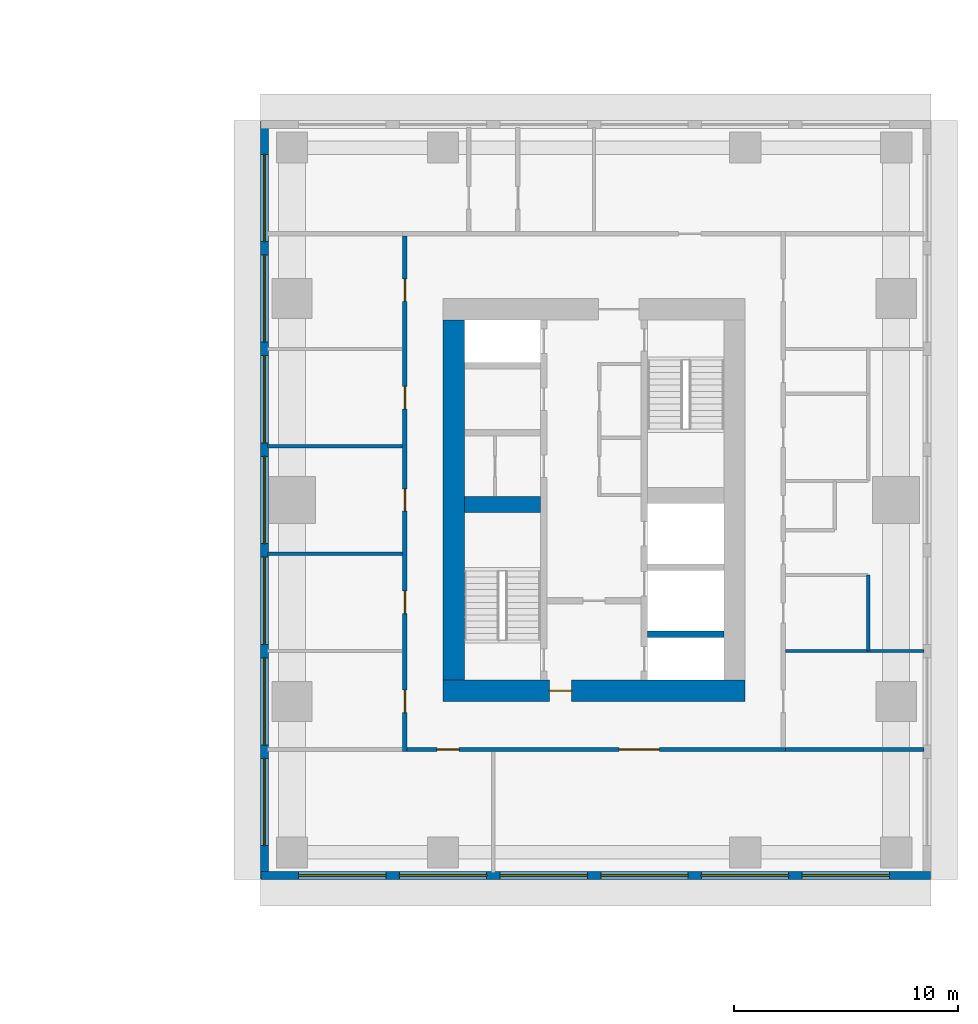
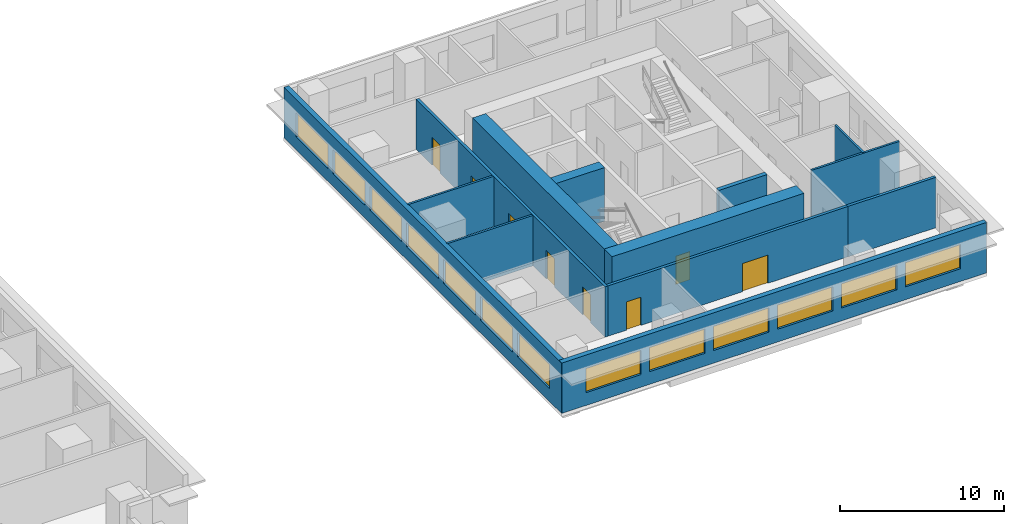
# One storey, part 6 of 11: 13 walls, 13 windows, 8 doors, 21 openings.
"""IFC4 building model written with IfcOpenShell, lengths in metres."""

from ifc_helpers import new_model, si_unit, direction, frame, frame_2d, origin, place, context, subcontext, project, spatial, rectangle, extrude, material, layer, layer_set, type_object, element, fill, save


model = new_model("IFC4")

# Units and contexts
model_context = context("Model", 3, precision=1e-05, world=origin(), true_north=direction((0.0, 1.0)))
body_context = subcontext(model_context, "Body", "Model", "MODEL_VIEW")
ifc_project = project(units=[si_unit("LENGTHUNIT", "METRE"), si_unit("AREAUNIT", "SQUARE_METRE"), si_unit("VOLUMEUNIT", "CUBIC_METRE"), si_unit("PLANEANGLEUNIT", "RADIAN"), si_unit("MASSUNIT", "GRAM", prefix="KILO")], contexts=[model_context])

# Site, building, storey
site_placement = place(None, origin())
site = spatial("IfcSite", under=ifc_project, at=site_placement, CompositionType="ELEMENT")
building_placement = place(site_placement, origin())
building = spatial("IfcBuilding", under=site, at=building_placement, Name="Namib Vertical Campus", CompositionType="ELEMENT")
storey_placement = place(building_placement, frame((0.0, 0.0, 177.0)))
storey = spatial("IfcBuildingStorey", under=building, at=storey_placement, Name="L41", CompositionType="ELEMENT", Elevation=177.0)

# Walls
ifc_material_1 = material(Name="Concrete C60/75", Category="concrete")
ifc_layer_1 = layer(ifc_material_1, 0.300048828125)
ifc_layer_set_1 = layer_set([ifc_layer_1], Name="Concrete C60/75")
wall_type_1 = type_object("IfcWallType", Name="Core inner wall 300", PredefinedType="SHEAR", material=ifc_layer_set_1)
wall_1_placement = place(storey_placement, frame((83.39990234375, 14.25, 0.0), z_axis=(0.0, 0.0, 1.0), x_axis=(1.0, 0.0, 0.0)))
element("IfcWall", 1, at=wall_1_placement, inside=storey, type_object=wall_type_1, Name="Core inner wall B L41 W5", PredefinedType="SHEAR", context=body_context, shape_type="SweptSolid", body=[
    extrude(rectangle(XDim=3.400146484375, YDim=0.300048828125, at=frame_2d((1.7001953125, 0.0))), origin(), (0.0, 0.0, 1.0), 4.0),
])
ifc_material_2 = material(Name="Concrete C60/75", Category="concrete")
ifc_layer_2 = layer(ifc_material_2, 0.699951171875)
ifc_layer_set_2 = layer_set([ifc_layer_2], Name="Concrete C60/75")
wall_type_2 = type_object("IfcWallType", Name="Core shear wall 700", PredefinedType="SHEAR", material=ifc_layer_set_2)
wall_2_placement = place(storey_placement, frame((75.199951171875, 20.050048828125, 0.0), z_axis=(0.0, 0.0, 1.0), x_axis=(1.0, 0.0, 0.0)))
element("IfcWall", 2, at=wall_2_placement, inside=storey, type_object=wall_type_2, Name="Core shear wall B L41 W3", PredefinedType="SHEAR", context=body_context, shape_type="SweptSolid", body=[
    extrude(rectangle(XDim=3.400146484375, YDim=0.699951171875, at=frame_2d((1.7001953125, 0.0))), origin(), (0.0, 0.0, 1.0), 4.0),
])

# Wall, opening, door
ifc_material_3 = material(Name="Concrete C60/75", Category="concrete")
ifc_layer_3 = layer(ifc_material_3, 0.949951171875)
ifc_layer_set_3 = layer_set([ifc_layer_3], Name="Concrete C60/75")
wall_type_3 = type_object("IfcWallType", Name="Core wall 950", PredefinedType="SHEAR", material=ifc_layer_set_3)
wall_3_placement = place(storey_placement, frame((74.25, 11.72509765625, 0.0), z_axis=(0.0, 0.0, 1.0), x_axis=(1.0, 0.0, 0.0)))
wall_3 = element("IfcWall", 3, at=wall_3_placement, inside=storey, type_object=wall_type_3, Name="Core wall B L41 1", PredefinedType="SHEAR", context=body_context, shape_type="SweptSolid", body=[
    extrude(rectangle(XDim=13.5, YDim=0.949951171875, at=frame_2d((6.75, 0.0))), origin(), (0.0, 0.0, 1.0), 4.0),
])
opening_1_placement = place(wall_3_placement, frame((4.75, 0.0, 0.0)))
opening_1 = element("IfcOpeningElement", 4, at=opening_1_placement, cuts=wall_3, Name="Opening FD5", PredefinedType="OPENING", context=body_context, shape_type="SweptSolid", body=[
    extrude(rectangle(XDim=1.0, YDim=2.10009765625, at=frame_2d((0.5, 1.050048828125))), frame((0.0, 0.48486328125, 0.0), z_axis=(0.0, -1.0, 0.0), x_axis=(1.0, 0.0, 0.0)), (0.0, 0.0, 1.0), 0.969970703125),
])
ifc_material_4 = material(Name="Steel fire door", Category="steel")
door_type_1 = type_object("IfcDoorType", Name="Fire door 1000x2100 120 min", OperationType="SINGLE_SWING_RIGHT", PredefinedType="DOOR", material=ifc_material_4)
door_1_placement = place(opening_1_placement, origin())
door_1 = element("IfcDoor", 5, at=door_1_placement, inside=storey, type_object=door_type_1, Name="Firefighting lobby door FD5 B L41", OperationType="SINGLE_SWING_LEFT", OverallHeight=2.10009765625, OverallWidth=1.0, PredefinedType="DOOR", context=body_context, shape_type="SweptSolid", body=[
    extrude(rectangle(XDim=1.0, YDim=2.10009765625, at=frame_2d((0.5, 1.050048828125))), frame((0.0, 0.02490234375, 0.0), z_axis=(0.0, -1.0, 0.0), x_axis=(1.0, 0.0, 0.0)), (0.0, 0.0, 1.0), 0.050048828125),
])
fill(opening_1, door_1)

# Wall
wall_4_placement = place(storey_placement, frame((74.72509765625, 28.300048828125, 0.0), z_axis=(0.0, 0.0, 1.0), x_axis=(0.0, -1.0, 0.0)))
element("IfcWall", 6, at=wall_4_placement, inside=storey, type_object=wall_type_3, Name="Core wall B L41 4", PredefinedType="SHEAR", context=body_context, shape_type="SweptSolid", body=[
    extrude(rectangle(XDim=16.10009765625, YDim=0.949951171875, at=frame_2d((8.050048828125, 0.0))), origin(), (0.0, 0.0, 1.0), 4.0),
])

# Wall, openings, doors
ifc_material_5 = material(Name="Concrete masonry", Category="masonry")
ifc_layer_4 = layer(ifc_material_5, 0.199951171875)
ifc_layer_set_4 = layer_set([ifc_layer_4], Name="Corridor wall 200")
wall_type_4 = type_object("IfcWallType", Name="Corridor wall 200", PredefinedType="SOLIDWALL", material=ifc_layer_set_4)
wall_5_placement = place(storey_placement, frame((72.64990234375, 9.10009765625, 0.0), z_axis=(0.0, 0.0, 1.0), x_axis=(1.0, 0.0, 0.0)))
wall_5 = element("IfcWall", 7, at=wall_5_placement, inside=storey, type_object=wall_type_4, Name="Corridor wall B L41 CS", PredefinedType="SOLIDWALL", context=body_context, shape_type="SweptSolid", body=[
    extrude(rectangle(XDim=16.900146484375, YDim=0.199951171875, at=frame_2d((8.4501953125, 0.0))), origin(), (0.0, 0.0, 1.0), 3.75),
])
opening_2_placement = place(wall_5_placement, frame((1.324951171875, 0.0, 0.0)))
opening_2 = element("IfcOpeningElement", 8, at=opening_2_placement, cuts=wall_5, Name="Opening CD1", PredefinedType="OPENING", context=body_context, shape_type="SweptSolid", body=[
    extrude(rectangle(XDim=1.0, YDim=2.10009765625, at=frame_2d((0.5, 1.050048828125))), frame((0.0, 0.10986328125, 0.0), z_axis=(0.0, -1.0, 0.0), x_axis=(1.0, 0.0, 0.0)), (0.0, 0.0, 1.0), 0.219970703125),
])
opening_3_placement = place(wall_5_placement, frame((9.47509765625, 0.0, 0.0)))
opening_3 = element("IfcOpeningElement", 9, at=opening_3_placement, cuts=wall_5, Name="Opening CD2", PredefinedType="OPENING", context=body_context, shape_type="SweptSolid", body=[
    extrude(rectangle(XDim=1.800048828125, YDim=2.10009765625, at=frame_2d((0.89990234375, 1.050048828125))), frame((0.0, 0.10986328125, 0.0), z_axis=(0.0, -1.0, 0.0), x_axis=(1.0, 0.0, 0.0)), (0.0, 0.0, 1.0), 0.219970703125),
])
ifc_material_6 = material(Name="Timber fire door leaf", Category="wood")
door_type_2 = type_object("IfcDoorType", Name="Corridor door 1000x2100 20 min", OperationType="SINGLE_SWING_LEFT", PredefinedType="DOOR", material=ifc_material_6)
door_2_placement = place(opening_2_placement, frame((1.0, 0.0, 0.0), z_axis=(0.0, 0.0, 1.0), x_axis=(-1.0, 0.0, 0.0)))
door_2 = element("IfcDoor", 10, at=door_2_placement, inside=storey, type_object=door_type_2, Name="Door CD1 B41-01", OperationType="SINGLE_SWING_LEFT", OverallHeight=2.10009765625, OverallWidth=1.0, PredefinedType="DOOR", context=body_context, shape_type="SweptSolid", body=[
    extrude(rectangle(XDim=1.0, YDim=2.10009765625, at=frame_2d((0.5, 1.050048828125))), frame((0.0, 0.02490234375, 0.0), z_axis=(0.0, -1.0, 0.0), x_axis=(1.0, 0.0, 0.0)), (0.0, 0.0, 1.0), 0.050048828125),
])
fill(opening_2, door_2)
ifc_material_7 = material(Name="Timber fire door leaf", Category="wood")
door_type_3 = type_object("IfcDoorType", Name="Corridor door double 1800x2100 20 min", OperationType="DOUBLE_DOOR_SINGLE_SWING", PredefinedType="DOOR", material=ifc_material_7)
door_3_placement = place(opening_3_placement, frame((1.800048828125, 0.0, 0.0), z_axis=(0.0, 0.0, 1.0), x_axis=(-1.0, 0.0, 0.0)))
door_3 = element("IfcDoor", 11, at=door_3_placement, inside=storey, type_object=door_type_3, Name="Door CD2 B41-02", OperationType="DOUBLE_DOOR_SINGLE_SWING", OverallHeight=2.10009765625, OverallWidth=1.800048828125, PredefinedType="DOOR", context=body_context, shape_type="SweptSolid", body=[
    extrude(rectangle(XDim=1.800048828125, YDim=2.10009765625, at=frame_2d((0.89990234375, 1.050048828125))), frame((0.0, 0.02490234375, 0.0), z_axis=(0.0, -1.0, 0.0), x_axis=(1.0, 0.0, 0.0)), (0.0, 0.0, 1.0), 0.050048828125),
])
fill(opening_3, door_3)

wall_6_placement = place(storey_placement, frame((72.550048828125, 32.050048828125, 0.0), z_axis=(0.0, 0.0, 1.0), x_axis=(0.0, -1.0, 0.0)))
wall_6 = element("IfcWall", 12, at=wall_6_placement, inside=storey, type_object=wall_type_4, Name="Corridor wall B L41 CW", PredefinedType="SOLIDWALL", context=body_context, shape_type="SweptSolid", body=[
    extrude(rectangle(XDim=23.050048828125, YDim=0.199951171875, at=frame_2d((11.52490234375, 0.0))), origin(), (0.0, 0.0, 1.0), 3.75),
])
opening_4_placement = place(wall_6_placement, frame((20.300048828125, 0.0, 0.0)))
opening_4 = element("IfcOpeningElement", 13, at=opening_4_placement, cuts=wall_6, Name="Opening CD1", PredefinedType="OPENING", context=body_context, shape_type="SweptSolid", body=[
    extrude(rectangle(XDim=1.0, YDim=2.10009765625, at=frame_2d((0.5, 1.050048828125))), frame((0.0, 0.10986328125, 0.0), z_axis=(0.0, -1.0, 0.0), x_axis=(1.0, 0.0, 0.0)), (0.0, 0.0, 1.0), 0.219970703125),
])
opening_5_placement = place(wall_6_placement, frame((15.875, 0.0, 0.0)))
opening_5 = element("IfcOpeningElement", 14, at=opening_5_placement, cuts=wall_6, Name="Opening CD1", PredefinedType="OPENING", context=body_context, shape_type="SweptSolid", body=[
    extrude(rectangle(XDim=1.0, YDim=2.10009765625, at=frame_2d((0.5, 1.050048828125))), frame((0.0, 0.10986328125, 0.0), z_axis=(0.0, -1.0, 0.0), x_axis=(1.0, 0.0, 0.0)), (0.0, 0.0, 1.0), 0.219970703125),
])
opening_6_placement = place(wall_6_placement, frame((11.300048828125, 0.0, 0.0)))
opening_6 = element("IfcOpeningElement", 15, at=opening_6_placement, cuts=wall_6, Name="Opening CD1", PredefinedType="OPENING", context=body_context, shape_type="SweptSolid", body=[
    extrude(rectangle(XDim=1.0, YDim=2.10009765625, at=frame_2d((0.5, 1.050048828125))), frame((0.0, 0.10986328125, 0.0), z_axis=(0.0, -1.0, 0.0), x_axis=(1.0, 0.0, 0.0)), (0.0, 0.0, 1.0), 0.219970703125),
])
opening_7_placement = place(wall_6_placement, frame((6.72509765625, 0.0, 0.0)))
opening_7 = element("IfcOpeningElement", 16, at=opening_7_placement, cuts=wall_6, Name="Opening CD1", PredefinedType="OPENING", context=body_context, shape_type="SweptSolid", body=[
    extrude(rectangle(XDim=1.0, YDim=2.10009765625, at=frame_2d((0.5, 1.050048828125))), frame((0.0, 0.10986328125, 0.0), z_axis=(0.0, -1.0, 0.0), x_axis=(1.0, 0.0, 0.0)), (0.0, 0.0, 1.0), 0.219970703125),
])
opening_8_placement = place(wall_6_placement, frame((1.925048828125, 0.0, 0.0)))
opening_8 = element("IfcOpeningElement", 17, at=opening_8_placement, cuts=wall_6, Name="Opening CD1", PredefinedType="OPENING", context=body_context, shape_type="SweptSolid", body=[
    extrude(rectangle(XDim=1.0, YDim=2.10009765625, at=frame_2d((0.5, 1.050048828125))), frame((0.0, 0.10986328125, 0.0), z_axis=(0.0, -1.0, 0.0), x_axis=(1.0, 0.0, 0.0)), (0.0, 0.0, 1.0), 0.219970703125),
])
door_4_placement = place(opening_4_placement, frame((1.0, 0.0, 0.0), z_axis=(0.0, 0.0, 1.0), x_axis=(-1.0, 0.0, 0.0)))
door_4 = element("IfcDoor", 18, at=door_4_placement, inside=storey, type_object=door_type_2, Name="Door CD1 B41-13", OperationType="SINGLE_SWING_RIGHT", OverallHeight=2.10009765625, OverallWidth=1.0, PredefinedType="DOOR", context=body_context, shape_type="SweptSolid", body=[
    extrude(rectangle(XDim=1.0, YDim=2.10009765625, at=frame_2d((0.5, 1.050048828125))), frame((0.0, 0.02490234375, 0.0), z_axis=(0.0, -1.0, 0.0), x_axis=(1.0, 0.0, 0.0)), (0.0, 0.0, 1.0), 0.050048828125),
])
fill(opening_4, door_4)
door_5_placement = place(opening_5_placement, frame((1.0, 0.0, 0.0), z_axis=(0.0, 0.0, 1.0), x_axis=(-1.0, 0.0, 0.0)))
door_5 = element("IfcDoor", 19, at=door_5_placement, inside=storey, type_object=door_type_2, Name="Door CD1 B41-14", OperationType="SINGLE_SWING_RIGHT", OverallHeight=2.10009765625, OverallWidth=1.0, PredefinedType="DOOR", context=body_context, shape_type="SweptSolid", body=[
    extrude(rectangle(XDim=1.0, YDim=2.10009765625, at=frame_2d((0.5, 1.050048828125))), frame((0.0, 0.02490234375, 0.0), z_axis=(0.0, -1.0, 0.0), x_axis=(1.0, 0.0, 0.0)), (0.0, 0.0, 1.0), 0.050048828125),
])
fill(opening_5, door_5)
door_6_placement = place(opening_6_placement, frame((1.0, 0.0, 0.0), z_axis=(0.0, 0.0, 1.0), x_axis=(-1.0, 0.0, 0.0)))
door_6 = element("IfcDoor", 20, at=door_6_placement, inside=storey, type_object=door_type_2, Name="Door CD1 B41-15", OperationType="SINGLE_SWING_RIGHT", OverallHeight=2.10009765625, OverallWidth=1.0, PredefinedType="DOOR", context=body_context, shape_type="SweptSolid", body=[
    extrude(rectangle(XDim=1.0, YDim=2.10009765625, at=frame_2d((0.5, 1.050048828125))), frame((0.0, 0.02490234375, 0.0), z_axis=(0.0, -1.0, 0.0), x_axis=(1.0, 0.0, 0.0)), (0.0, 0.0, 1.0), 0.050048828125),
])
fill(opening_6, door_6)
door_7_placement = place(opening_7_placement, frame((1.0, 0.0, 0.0), z_axis=(0.0, 0.0, 1.0), x_axis=(-1.0, 0.0, 0.0)))
door_7 = element("IfcDoor", 21, at=door_7_placement, inside=storey, type_object=door_type_2, Name="Door CD1 B41-16", OperationType="SINGLE_SWING_RIGHT", OverallHeight=2.10009765625, OverallWidth=1.0, PredefinedType="DOOR", context=body_context, shape_type="SweptSolid", body=[
    extrude(rectangle(XDim=1.0, YDim=2.10009765625, at=frame_2d((0.5, 1.050048828125))), frame((0.0, 0.02490234375, 0.0), z_axis=(0.0, -1.0, 0.0), x_axis=(1.0, 0.0, 0.0)), (0.0, 0.0, 1.0), 0.050048828125),
])
fill(opening_7, door_7)
door_8_placement = place(opening_8_placement, frame((1.0, 0.0, 0.0), z_axis=(0.0, 0.0, 1.0), x_axis=(-1.0, 0.0, 0.0)))
door_8 = element("IfcDoor", 22, at=door_8_placement, inside=storey, type_object=door_type_2, Name="Door CD1 B41-17", OperationType="SINGLE_SWING_RIGHT", OverallHeight=2.10009765625, OverallWidth=1.0, PredefinedType="DOOR", context=body_context, shape_type="SweptSolid", body=[
    extrude(rectangle(XDim=1.0, YDim=2.10009765625, at=frame_2d((0.5, 1.050048828125))), frame((0.0, 0.02490234375, 0.0), z_axis=(0.0, -1.0, 0.0), x_axis=(1.0, 0.0, 0.0)), (0.0, 0.0, 1.0), 0.050048828125),
])
fill(opening_8, door_8)

# Wall
wall_7_placement = place(storey_placement, frame((89.550048828125, 9.10009765625, 0.0), z_axis=(0.0, 0.0, 1.0), x_axis=(1.0, 0.0, 0.0)))
element("IfcWall", 23, at=wall_7_placement, inside=storey, type_object=wall_type_4, Name="Partition B L41 BSE", PredefinedType="SOLIDWALL", context=body_context, shape_type="SweptSolid", body=[
    extrude(rectangle(XDim=6.199951171875, YDim=0.199951171875, at=frame_2d((3.10009765625, 0.0))), origin(), (0.0, 0.0, 1.0), 3.75),
])

# Wall, openings, windows
ifc_material_8 = material(Name="Concrete C40/50", Category="concrete")
ifc_layer_5 = layer(ifc_material_8, 0.35009765625)
ifc_layer_set_5 = layer_set([ifc_layer_5], Name="Concrete C40/50")
wall_type_5 = type_object("IfcWallType", Name="External wall 350 bush-hammered concrete", PredefinedType="STANDARD", material=ifc_layer_set_5)
wall_8_placement = place(storey_placement, frame((66.1201171875, 3.47509765625, 0.0), z_axis=(0.0, 0.0, 1.0), x_axis=(1.0, 0.0, 0.0)))
wall_8 = element("IfcWall", 24, at=wall_8_placement, inside=storey, type_object=wall_type_5, Name="External wall L41 F01", PredefinedType="STANDARD", context=body_context, shape_type="SweptSolid", body=[
    extrude(rectangle(XDim=29.909912109375, YDim=0.35009765625, at=frame_2d((14.955078125, 0.0))), origin(), (0.0, 0.0, 1.0), 3.75),
])
opening_9_placement = place(wall_8_placement, frame((1.679931640625, 0.0, 0.949951171875)))
opening_9 = element("IfcOpeningElement", 25, at=opening_9_placement, cuts=wall_8, Name="Opening W3", PredefinedType="OPENING", context=body_context, shape_type="SweptSolid", body=[
    extrude(rectangle(XDim=3.89990234375, YDim=1.800048828125, at=frame_2d((1.949951171875, 0.89990234375))), frame((0.0, 0.18505859375, 0.0), z_axis=(0.0, -1.0, 0.0), x_axis=(1.0, 0.0, 0.0)), (0.0, 0.0, 1.0), 0.3701171875),
])
opening_10_placement = place(wall_8_placement, frame((6.179931640625, 0.0, 0.949951171875)))
opening_10 = element("IfcOpeningElement", 26, at=opening_10_placement, cuts=wall_8, Name="Opening W3", PredefinedType="OPENING", context=body_context, shape_type="SweptSolid", body=[
    extrude(rectangle(XDim=3.89990234375, YDim=1.800048828125, at=frame_2d((1.949951171875, 0.89990234375))), frame((0.0, 0.18505859375, 0.0), z_axis=(0.0, -1.0, 0.0), x_axis=(1.0, 0.0, 0.0)), (0.0, 0.0, 1.0), 0.3701171875),
])
opening_11_placement = place(wall_8_placement, frame((10.679931640625, 0.0, 0.949951171875)))
opening_11 = element("IfcOpeningElement", 27, at=opening_11_placement, cuts=wall_8, Name="Opening W3", PredefinedType="OPENING", context=body_context, shape_type="SweptSolid", body=[
    extrude(rectangle(XDim=3.89990234375, YDim=1.800048828125, at=frame_2d((1.949951171875, 0.89990234375))), frame((0.0, 0.18505859375, 0.0), z_axis=(0.0, -1.0, 0.0), x_axis=(1.0, 0.0, 0.0)), (0.0, 0.0, 1.0), 0.3701171875),
])
opening_12_placement = place(wall_8_placement, frame((15.179931640625, 0.0, 0.949951171875)))
opening_12 = element("IfcOpeningElement", 28, at=opening_12_placement, cuts=wall_8, Name="Opening W3", PredefinedType="OPENING", context=body_context, shape_type="SweptSolid", body=[
    extrude(rectangle(XDim=3.89990234375, YDim=1.800048828125, at=frame_2d((1.949951171875, 0.89990234375))), frame((0.0, 0.18505859375, 0.0), z_axis=(0.0, -1.0, 0.0), x_axis=(1.0, 0.0, 0.0)), (0.0, 0.0, 1.0), 0.3701171875),
])
opening_13_placement = place(wall_8_placement, frame((19.679931640625, 0.0, 0.949951171875)))
opening_13 = element("IfcOpeningElement", 29, at=opening_13_placement, cuts=wall_8, Name="Opening W3", PredefinedType="OPENING", context=body_context, shape_type="SweptSolid", body=[
    extrude(rectangle(XDim=3.89990234375, YDim=1.800048828125, at=frame_2d((1.949951171875, 0.89990234375))), frame((0.0, 0.18505859375, 0.0), z_axis=(0.0, -1.0, 0.0), x_axis=(1.0, 0.0, 0.0)), (0.0, 0.0, 1.0), 0.3701171875),
])
opening_14_placement = place(wall_8_placement, frame((24.179931640625, 0.0, 0.949951171875)))
opening_14 = element("IfcOpeningElement", 30, at=opening_14_placement, cuts=wall_8, Name="Opening W3", PredefinedType="OPENING", context=body_context, shape_type="SweptSolid", body=[
    extrude(rectangle(XDim=3.89990234375, YDim=1.800048828125, at=frame_2d((1.949951171875, 0.89990234375))), frame((0.0, 0.18505859375, 0.0), z_axis=(0.0, -1.0, 0.0), x_axis=(1.0, 0.0, 0.0)), (0.0, 0.0, 1.0), 0.3701171875),
])
ifc_material_9 = material(Name="Dark tinted glass in black aluminium frame", Category="aluminium")
window_type = type_object("IfcWindowType", Name="Ribbon window 3900x1800", PartitioningType="SINGLE_PANEL", PredefinedType="WINDOW", material=ifc_material_9)
window_1_placement = place(opening_9_placement, origin())
window_1 = element("IfcWindow", 31, at=window_1_placement, inside=storey, type_object=window_type, Name="Window W3 L41 F01-1", OverallHeight=1.800048828125, OverallWidth=3.89990234375, PartitioningType="SINGLE_PANEL", PredefinedType="WINDOW", context=body_context, shape_type="SweptSolid", body=[
    extrude(rectangle(XDim=3.89990234375, YDim=1.800048828125, at=frame_2d((1.949951171875, 0.89990234375))), frame((0.0, 0.030029296875, 0.0), z_axis=(0.0, -1.0, 0.0), x_axis=(1.0, 0.0, 0.0)), (0.0, 0.0, 1.0), 0.06005859375),
])
fill(opening_9, window_1)
window_2_placement = place(opening_10_placement, origin())
window_2 = element("IfcWindow", 32, at=window_2_placement, inside=storey, type_object=window_type, Name="Window W3 L41 F01-2", OverallHeight=1.800048828125, OverallWidth=3.89990234375, PartitioningType="SINGLE_PANEL", PredefinedType="WINDOW", context=body_context, shape_type="SweptSolid", body=[
    extrude(rectangle(XDim=3.89990234375, YDim=1.800048828125, at=frame_2d((1.949951171875, 0.89990234375))), frame((0.0, 0.030029296875, 0.0), z_axis=(0.0, -1.0, 0.0), x_axis=(1.0, 0.0, 0.0)), (0.0, 0.0, 1.0), 0.06005859375),
])
fill(opening_10, window_2)
window_3_placement = place(opening_11_placement, origin())
window_3 = element("IfcWindow", 33, at=window_3_placement, inside=storey, type_object=window_type, Name="Window W3 L41 F01-3", OverallHeight=1.800048828125, OverallWidth=3.89990234375, PartitioningType="SINGLE_PANEL", PredefinedType="WINDOW", context=body_context, shape_type="SweptSolid", body=[
    extrude(rectangle(XDim=3.89990234375, YDim=1.800048828125, at=frame_2d((1.949951171875, 0.89990234375))), frame((0.0, 0.030029296875, 0.0), z_axis=(0.0, -1.0, 0.0), x_axis=(1.0, 0.0, 0.0)), (0.0, 0.0, 1.0), 0.06005859375),
])
fill(opening_11, window_3)
window_4_placement = place(opening_12_placement, origin())
window_4 = element("IfcWindow", 34, at=window_4_placement, inside=storey, type_object=window_type, Name="Window W3 L41 F01-4", OverallHeight=1.800048828125, OverallWidth=3.89990234375, PartitioningType="SINGLE_PANEL", PredefinedType="WINDOW", context=body_context, shape_type="SweptSolid", body=[
    extrude(rectangle(XDim=3.89990234375, YDim=1.800048828125, at=frame_2d((1.949951171875, 0.89990234375))), frame((0.0, 0.030029296875, 0.0), z_axis=(0.0, -1.0, 0.0), x_axis=(1.0, 0.0, 0.0)), (0.0, 0.0, 1.0), 0.06005859375),
])
fill(opening_12, window_4)
window_5_placement = place(opening_13_placement, origin())
window_5 = element("IfcWindow", 35, at=window_5_placement, inside=storey, type_object=window_type, Name="Window W3 L41 F01-5", OverallHeight=1.800048828125, OverallWidth=3.89990234375, PartitioningType="SINGLE_PANEL", PredefinedType="WINDOW", context=body_context, shape_type="SweptSolid", body=[
    extrude(rectangle(XDim=3.89990234375, YDim=1.800048828125, at=frame_2d((1.949951171875, 0.89990234375))), frame((0.0, 0.030029296875, 0.0), z_axis=(0.0, -1.0, 0.0), x_axis=(1.0, 0.0, 0.0)), (0.0, 0.0, 1.0), 0.06005859375),
])
fill(opening_13, window_5)
window_6_placement = place(opening_14_placement, origin())
window_6 = element("IfcWindow", 36, at=window_6_placement, inside=storey, type_object=window_type, Name="Window W3 L41 F01-6", OverallHeight=1.800048828125, OverallWidth=3.89990234375, PartitioningType="SINGLE_PANEL", PredefinedType="WINDOW", context=body_context, shape_type="SweptSolid", body=[
    extrude(rectangle(XDim=3.89990234375, YDim=1.800048828125, at=frame_2d((1.949951171875, 0.89990234375))), frame((0.0, 0.030029296875, 0.0), z_axis=(0.0, -1.0, 0.0), x_axis=(1.0, 0.0, 0.0)), (0.0, 0.0, 1.0), 0.06005859375),
])
fill(opening_14, window_6)

wall_9_placement = place(storey_placement, frame((66.27490234375, 37.179931640625, 0.0), z_axis=(0.0, 0.0, 1.0), x_axis=(0.0, -1.0, 0.0)))
wall_9 = element("IfcWall", 37, at=wall_9_placement, inside=storey, type_object=wall_type_5, Name="External wall L41 F04", PredefinedType="STANDARD", context=body_context, shape_type="SweptSolid", body=[
    extrude(rectangle(XDim=33.85986328125, YDim=0.35009765625, at=frame_2d((16.929931640625, 0.0))), origin(), (0.0, 0.0, 1.0), 3.75),
])
opening_15_placement = place(wall_9_placement, frame((28.47998046875, 0.0, 0.949951171875)))
opening_15 = element("IfcOpeningElement", 38, at=opening_15_placement, cuts=wall_9, Name="Opening W3", PredefinedType="OPENING", context=body_context, shape_type="SweptSolid", body=[
    extrude(rectangle(XDim=3.89990234375, YDim=1.800048828125, at=frame_2d((1.949951171875, 0.89990234375))), frame((0.0, 0.18505859375, 0.0), z_axis=(0.0, -1.0, 0.0), x_axis=(1.0, 0.0, 0.0)), (0.0, 0.0, 1.0), 0.3701171875),
])
opening_16_placement = place(wall_9_placement, frame((23.97998046875, 0.0, 0.949951171875)))
opening_16 = element("IfcOpeningElement", 39, at=opening_16_placement, cuts=wall_9, Name="Opening W3", PredefinedType="OPENING", context=body_context, shape_type="SweptSolid", body=[
    extrude(rectangle(XDim=3.89990234375, YDim=1.800048828125, at=frame_2d((1.949951171875, 0.89990234375))), frame((0.0, 0.18505859375, 0.0), z_axis=(0.0, -1.0, 0.0), x_axis=(1.0, 0.0, 0.0)), (0.0, 0.0, 1.0), 0.3701171875),
])
opening_17_placement = place(wall_9_placement, frame((19.47998046875, 0.0, 0.949951171875)))
opening_17 = element("IfcOpeningElement", 40, at=opening_17_placement, cuts=wall_9, Name="Opening W3", PredefinedType="OPENING", context=body_context, shape_type="SweptSolid", body=[
    extrude(rectangle(XDim=3.89990234375, YDim=1.800048828125, at=frame_2d((1.949951171875, 0.89990234375))), frame((0.0, 0.18505859375, 0.0), z_axis=(0.0, -1.0, 0.0), x_axis=(1.0, 0.0, 0.0)), (0.0, 0.0, 1.0), 0.3701171875),
])
opening_18_placement = place(wall_9_placement, frame((14.97998046875, 0.0, 0.949951171875)))
opening_18 = element("IfcOpeningElement", 41, at=opening_18_placement, cuts=wall_9, Name="Opening W3", PredefinedType="OPENING", context=body_context, shape_type="SweptSolid", body=[
    extrude(rectangle(XDim=3.89990234375, YDim=1.800048828125, at=frame_2d((1.949951171875, 0.89990234375))), frame((0.0, 0.18505859375, 0.0), z_axis=(0.0, -1.0, 0.0), x_axis=(1.0, 0.0, 0.0)), (0.0, 0.0, 1.0), 0.3701171875),
])
opening_19_placement = place(wall_9_placement, frame((10.47998046875, 0.0, 0.949951171875)))
opening_19 = element("IfcOpeningElement", 42, at=opening_19_placement, cuts=wall_9, Name="Opening W3", PredefinedType="OPENING", context=body_context, shape_type="SweptSolid", body=[
    extrude(rectangle(XDim=3.89990234375, YDim=1.800048828125, at=frame_2d((1.949951171875, 0.89990234375))), frame((0.0, 0.18505859375, 0.0), z_axis=(0.0, -1.0, 0.0), x_axis=(1.0, 0.0, 0.0)), (0.0, 0.0, 1.0), 0.3701171875),
])
opening_20_placement = place(wall_9_placement, frame((5.97998046875, 0.0, 0.949951171875)))
opening_20 = element("IfcOpeningElement", 43, at=opening_20_placement, cuts=wall_9, Name="Opening W3", PredefinedType="OPENING", context=body_context, shape_type="SweptSolid", body=[
    extrude(rectangle(XDim=3.89990234375, YDim=1.800048828125, at=frame_2d((1.949951171875, 0.89990234375))), frame((0.0, 0.18505859375, 0.0), z_axis=(0.0, -1.0, 0.0), x_axis=(1.0, 0.0, 0.0)), (0.0, 0.0, 1.0), 0.3701171875),
])
opening_21_placement = place(wall_9_placement, frame((1.47998046875, 0.0, 0.949951171875)))
opening_21 = element("IfcOpeningElement", 44, at=opening_21_placement, cuts=wall_9, Name="Opening W3", PredefinedType="OPENING", context=body_context, shape_type="SweptSolid", body=[
    extrude(rectangle(XDim=3.89990234375, YDim=1.800048828125, at=frame_2d((1.949951171875, 0.89990234375))), frame((0.0, 0.18505859375, 0.0), z_axis=(0.0, -1.0, 0.0), x_axis=(1.0, 0.0, 0.0)), (0.0, 0.0, 1.0), 0.3701171875),
])
window_7_placement = place(opening_15_placement, origin())
window_7 = element("IfcWindow", 45, at=window_7_placement, inside=storey, type_object=window_type, Name="Window W3 L41 F04-1", OverallHeight=1.800048828125, OverallWidth=3.89990234375, PartitioningType="SINGLE_PANEL", PredefinedType="WINDOW", context=body_context, shape_type="SweptSolid", body=[
    extrude(rectangle(XDim=3.89990234375, YDim=1.800048828125, at=frame_2d((1.949951171875, 0.89990234375))), frame((0.0, 0.030029296875, 0.0), z_axis=(0.0, -1.0, 0.0), x_axis=(1.0, 0.0, 0.0)), (0.0, 0.0, 1.0), 0.06005859375),
])
fill(opening_15, window_7)
window_8_placement = place(opening_16_placement, origin())
window_8 = element("IfcWindow", 46, at=window_8_placement, inside=storey, type_object=window_type, Name="Window W3 L41 F04-2", OverallHeight=1.800048828125, OverallWidth=3.89990234375, PartitioningType="SINGLE_PANEL", PredefinedType="WINDOW", context=body_context, shape_type="SweptSolid", body=[
    extrude(rectangle(XDim=3.89990234375, YDim=1.800048828125, at=frame_2d((1.949951171875, 0.89990234375))), frame((0.0, 0.030029296875, 0.0), z_axis=(0.0, -1.0, 0.0), x_axis=(1.0, 0.0, 0.0)), (0.0, 0.0, 1.0), 0.06005859375),
])
fill(opening_16, window_8)
window_9_placement = place(opening_17_placement, origin())
window_9 = element("IfcWindow", 47, at=window_9_placement, inside=storey, type_object=window_type, Name="Window W3 L41 F04-3", OverallHeight=1.800048828125, OverallWidth=3.89990234375, PartitioningType="SINGLE_PANEL", PredefinedType="WINDOW", context=body_context, shape_type="SweptSolid", body=[
    extrude(rectangle(XDim=3.89990234375, YDim=1.800048828125, at=frame_2d((1.949951171875, 0.89990234375))), frame((0.0, 0.030029296875, 0.0), z_axis=(0.0, -1.0, 0.0), x_axis=(1.0, 0.0, 0.0)), (0.0, 0.0, 1.0), 0.06005859375),
])
fill(opening_17, window_9)
window_10_placement = place(opening_18_placement, origin())
window_10 = element("IfcWindow", 48, at=window_10_placement, inside=storey, type_object=window_type, Name="Window W3 L41 F04-4", OverallHeight=1.800048828125, OverallWidth=3.89990234375, PartitioningType="SINGLE_PANEL", PredefinedType="WINDOW", context=body_context, shape_type="SweptSolid", body=[
    extrude(rectangle(XDim=3.89990234375, YDim=1.800048828125, at=frame_2d((1.949951171875, 0.89990234375))), frame((0.0, 0.030029296875, 0.0), z_axis=(0.0, -1.0, 0.0), x_axis=(1.0, 0.0, 0.0)), (0.0, 0.0, 1.0), 0.06005859375),
])
fill(opening_18, window_10)
window_11_placement = place(opening_19_placement, origin())
window_11 = element("IfcWindow", 49, at=window_11_placement, inside=storey, type_object=window_type, Name="Window W3 L41 F04-5", OverallHeight=1.800048828125, OverallWidth=3.89990234375, PartitioningType="SINGLE_PANEL", PredefinedType="WINDOW", context=body_context, shape_type="SweptSolid", body=[
    extrude(rectangle(XDim=3.89990234375, YDim=1.800048828125, at=frame_2d((1.949951171875, 0.89990234375))), frame((0.0, 0.030029296875, 0.0), z_axis=(0.0, -1.0, 0.0), x_axis=(1.0, 0.0, 0.0)), (0.0, 0.0, 1.0), 0.06005859375),
])
fill(opening_19, window_11)
window_12_placement = place(opening_20_placement, origin())
window_12 = element("IfcWindow", 50, at=window_12_placement, inside=storey, type_object=window_type, Name="Window W3 L41 F04-6", OverallHeight=1.800048828125, OverallWidth=3.89990234375, PartitioningType="SINGLE_PANEL", PredefinedType="WINDOW", context=body_context, shape_type="SweptSolid", body=[
    extrude(rectangle(XDim=3.89990234375, YDim=1.800048828125, at=frame_2d((1.949951171875, 0.89990234375))), frame((0.0, 0.030029296875, 0.0), z_axis=(0.0, -1.0, 0.0), x_axis=(1.0, 0.0, 0.0)), (0.0, 0.0, 1.0), 0.06005859375),
])
fill(opening_20, window_12)
window_13_placement = place(opening_21_placement, origin())
window_13 = element("IfcWindow", 51, at=window_13_placement, inside=storey, type_object=window_type, Name="Window W3 L41 F04-7", OverallHeight=1.800048828125, OverallWidth=3.89990234375, PartitioningType="SINGLE_PANEL", PredefinedType="WINDOW", context=body_context, shape_type="SweptSolid", body=[
    extrude(rectangle(XDim=3.89990234375, YDim=1.800048828125, at=frame_2d((1.949951171875, 0.89990234375))), frame((0.0, 0.030029296875, 0.0), z_axis=(0.0, -1.0, 0.0), x_axis=(1.0, 0.0, 0.0)), (0.0, 0.0, 1.0), 0.06005859375),
])
fill(opening_21, window_13)

# Walls
ifc_material_10 = material(Name="Gypsum board on steel studs", Category="steel")
ifc_layer_6 = layer(ifc_material_10, 0.14990234375)
ifc_layer_set_6 = layer_set([ifc_layer_6], Name="Gypsum board on steel studs")
wall_type_6 = type_object("IfcWallType", Name="Partition 150", PredefinedType="PARTITIONING", material=ifc_layer_set_6)
wall_10_placement = place(storey_placement, frame((89.550048828125, 13.5, 0.0), z_axis=(0.0, 0.0, 1.0), x_axis=(1.0, 0.0, 0.0)))
element("IfcWall", 52, at=wall_10_placement, inside=storey, type_object=wall_type_6, Name="Partition B L41 PE1", PredefinedType="PARTITIONING", context=body_context, shape_type="SweptSolid", body=[
    extrude(rectangle(XDim=6.199951171875, YDim=0.14990234375, at=frame_2d((3.10009765625, 0.0))), origin(), (0.0, 0.0, 1.0), 3.75),
])
for number, where, z_axis, x_axis, name in (
    (53, (66.39990234375, 17.85009765625, 0.0), (0.0, 0.0, 1.0), (1.0, 0.0, 0.0), "Partition B L41 PW2"),
    (54, (66.39990234375, 22.64990234375, 0.0), (0.0, 0.0, 1.0), (1.0, 0.0, 0.0), "Partition B L41 PW3"),
):
    element("IfcWall", number, at=place(storey_placement, frame(where, z_axis=z_axis, x_axis=x_axis)), inside=storey, type_object=wall_type_6, Name=name, PredefinedType="PARTITIONING", context=body_context, shape_type="SweptSolid", body=[
        extrude(rectangle(XDim=6.050048828125, YDim=0.14990234375, at=frame_2d((3.02490234375, 0.0))), origin(), (0.0, 0.0, 1.0), 3.75),
    ])
wall_11_placement = place(storey_placement, frame((93.25, 13.5, 0.0), z_axis=(0.0, 0.0, 1.0), x_axis=(0.0, 1.0, 0.0)))
element("IfcWall", 55, at=wall_11_placement, inside=storey, type_object=wall_type_6, Name="Partition B L41 WB1", PredefinedType="PARTITIONING", context=body_context, shape_type="SweptSolid", body=[
    extrude(rectangle(XDim=3.39990234375, YDim=0.14990234375, at=frame_2d((1.699951171875, 0.0))), origin(), (0.0, 0.0, 1.0), 3.75),
])

save(model, "model.ifc")
